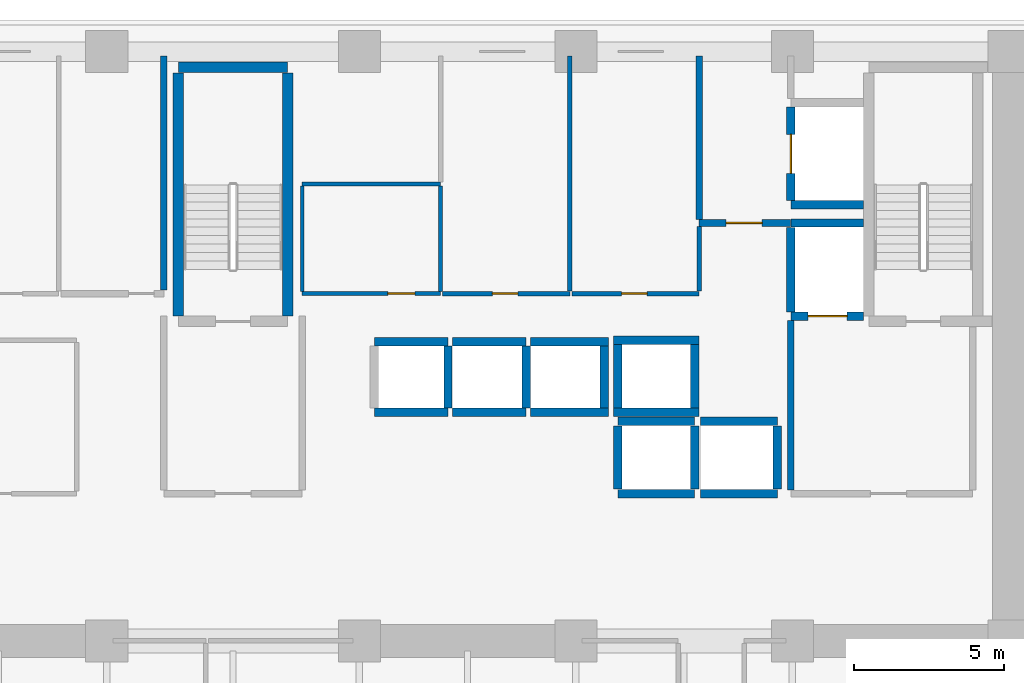
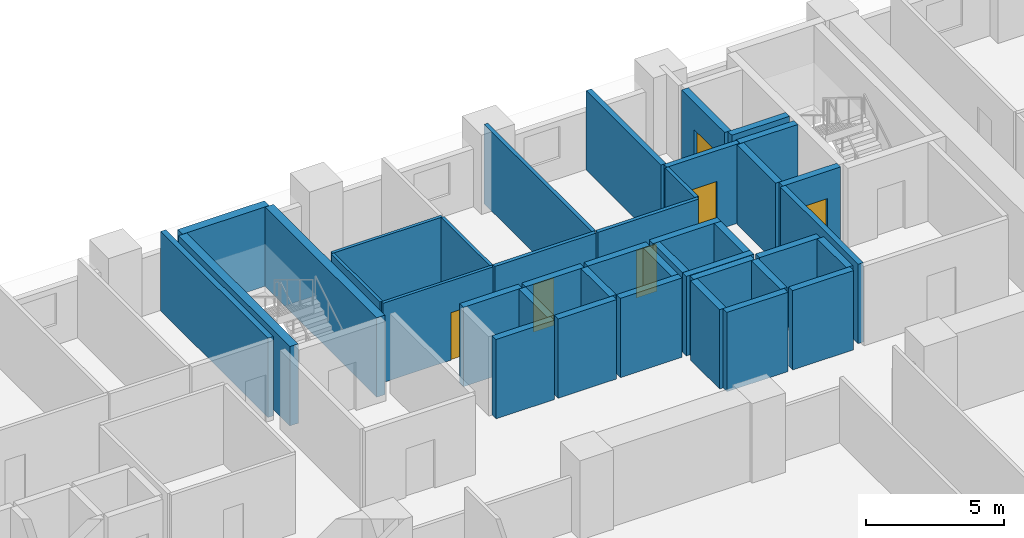
# One storey, part 8 of 15: 40 walls, 6 doors, 6 openings.
"""IFC4 building model written with IfcOpenShell, lengths in metres."""

from ifc_helpers import new_model, si_unit, direction, frame, frame_2d, origin, place, context, subcontext, project, spatial, rectangle, extrude, material, layer, layer_set, type_object, element, fill, save


model = new_model("IFC4")

# Units and contexts
model_context = context("Model", 3, precision=1e-05, world=origin(), true_north=direction((0.0, 1.0)))
body_context = subcontext(model_context, "Body", "Model", "MODEL_VIEW")
ifc_project = project(units=[si_unit("LENGTHUNIT", "METRE"), si_unit("AREAUNIT", "SQUARE_METRE"), si_unit("VOLUMEUNIT", "CUBIC_METRE"), si_unit("PLANEANGLEUNIT", "RADIAN"), si_unit("MASSUNIT", "GRAM", prefix="KILO")], contexts=[model_context])

# Site, building, storey
site_placement = place(None, origin())
site = spatial("IfcSite", under=ifc_project, at=site_placement, CompositionType="ELEMENT")
building_placement = place(site_placement, origin())
building = spatial("IfcBuilding", under=site, at=building_placement, Name="Kaelvorn Grand Hotel", CompositionType="ELEMENT")
storey_placement = place(building_placement, frame((0.0, 0.0, 38.89990234375)))
storey = spatial("IfcBuildingStorey", under=building, at=storey_placement, Name="L07", CompositionType="ELEMENT", Elevation=38.89990234375)

# Wall, opening, door
ifc_material_1 = material(Name="Moisture-Resistant Tile & Stud Board")
ifc_layer_1 = layer(ifc_material_1, 0.125)
ifc_layer_set_1 = layer_set([ifc_layer_1], Name="Moisture-Resistant Tile & Stud Board")
wall_type_1 = type_object("IfcWallType", Name="WL-PART-125-WET", PredefinedType="PARTITIONING", material=ifc_layer_set_1)
wall_1_placement = place(storey_placement, frame((44.300048828125, 40.949951171875, 0.0), z_axis=(0.0, 0.0, 1.0), x_axis=(1.0, 0.0, 0.0)))
wall_1 = element("IfcWall", 1, at=wall_1_placement, inside=storey, type_object=wall_type_1, Name="L07 Accessible WC S Partition", PredefinedType="PARTITIONING", context=body_context, shape_type="SweptSolid", body=[
    extrude(rectangle(XDim=4.599853515625, YDim=0.125, at=frame_2d((2.2998046875, 0.0))), origin(), (0.0, 0.0, 1.0), 3.510009765625),
])
opening_1_placement = place(wall_1_placement, frame((2.85009765625, 0.0, 0.0)))
opening_1 = element("IfcOpeningElement", 2, at=opening_1_placement, cuts=wall_1, Name="Opening DI4", PredefinedType="OPENING", context=body_context, shape_type="SweptSolid", body=[
    extrude(rectangle(XDim=0.89990234375, YDim=2.10009765625, at=frame_2d((0.449951171875, 1.050048828125))), frame((0.0, 0.072509765625, 0.0), z_axis=(0.0, -1.0, 0.0), x_axis=(1.0, 0.0, 0.0)), (0.0, 0.0, 1.0), 0.14501953125),
])
ifc_material_2 = material(Name="Timber Veneer Leaf", Category="wood")
door_type_1 = type_object("IfcDoorType", Name="DR-INT-BATH-900x2100", OperationType="NOTDEFINED", PredefinedType="DOOR", material=ifc_material_2)
door_1_placement = place(opening_1_placement, origin())
door_1 = element("IfcDoor", 3, at=door_1_placement, inside=storey, type_object=door_type_1, Name="L07 Accessible WC Door", OperationType="SINGLE_SWING_RIGHT", OverallHeight=2.10009765625, OverallWidth=0.89990234375, PredefinedType="DOOR", context=body_context, shape_type="SweptSolid", body=[
    extrude(rectangle(XDim=0.89990234375, YDim=2.10009765625, at=frame_2d((0.449951171875, 1.050048828125))), frame((0.0, 0.02490234375, 0.0), z_axis=(0.0, -1.0, 0.0), x_axis=(1.0, 0.0, 0.0)), (0.0, 0.0, 1.0), 0.050048828125),
])
fill(opening_1, door_1)

# Walls
wall_2_placement = place(storey_placement, frame((44.300048828125, 44.60009765625, 0.0), z_axis=(0.0, 0.0, 1.0), x_axis=(1.0, 0.0, 0.0)))
element("IfcWall", 4, at=wall_2_placement, inside=storey, type_object=wall_type_1, Name="L07 Accessible WC N Partition", PredefinedType="PARTITIONING", context=body_context, shape_type="SweptSolid", body=[
    extrude(rectangle(XDim=4.599853515625, YDim=0.125, at=frame_2d((2.2998046875, 0.0))), origin(), (0.0, 0.0, 1.0), 3.510009765625),
])
for number, where, z_axis, x_axis, name in (
    (5, (44.300048828125, 41.017578125, 0.0), (0.0, 0.0, 1.0), (0.0, 1.0, 0.0), "L07 Accessible WC W Partition"),
    (6, (48.89990234375, 41.017578125, 0.0), (0.0, 0.0, 1.0), (0.0, 1.0, 0.0), "L07 Accessible WC E Partition"),
):
    element("IfcWall", number, at=place(storey_placement, frame(where, z_axis=z_axis, x_axis=x_axis)), inside=storey, type_object=wall_type_1, Name=name, PredefinedType="PARTITIONING", context=body_context, shape_type="SweptSolid", body=[
        extrude(rectangle(XDim=3.514892578125, YDim=0.125, at=frame_2d((1.75732421875, 0.0))), origin(), (0.0, 0.0, 1.0), 3.510009765625),
    ])

# Wall, opening, door
ifc_material_3 = material(Name="Acoustic Gypsum & Stud Partition")
ifc_layer_2 = layer(ifc_material_3, 0.14990234375)
ifc_layer_set_2 = layer_set([ifc_layer_2], Name="Acoustic Gypsum & Stud Partition")
wall_type_2 = type_object("IfcWallType", Name="WL-PART-150-EI60", PredefinedType="PARTITIONING", material=ifc_layer_set_2)
wall_3_placement = place(storey_placement, frame((48.967529296875, 40.949951171875, 0.0), z_axis=(0.0, 0.0, 1.0), x_axis=(1.0, 0.0, 0.0)))
wall_3 = element("IfcWall", 7, at=wall_3_placement, inside=storey, type_object=wall_type_2, Name="L07 Minibar & Glassware Store S Partition", PredefinedType="PARTITIONING", context=body_context, shape_type="SweptSolid", body=[
    extrude(rectangle(XDim=4.232421875, YDim=0.14990234375, at=frame_2d((2.1162109375, 0.0))), origin(), (0.0, 0.0, 1.0), 3.510009765625),
])
opening_2_placement = place(wall_3_placement, frame((1.657470703125, 0.0, 0.0)))
opening_2 = element("IfcOpeningElement", 8, at=opening_2_placement, cuts=wall_3, Name="Opening DI7", PredefinedType="OPENING", context=body_context, shape_type="SweptSolid", body=[
    extrude(rectangle(XDim=0.85009765625, YDim=2.10009765625, at=frame_2d((0.425048828125, 1.050048828125))), frame((0.0, 0.0849609375, 0.0), z_axis=(0.0, -1.0, 0.0), x_axis=(1.0, 0.0, 0.0)), (0.0, 0.0, 1.0), 0.169921875),
])
ifc_material_4 = material(Name="Powder-Coated Steel Leaf", Category="steel")
door_type_2 = type_object("IfcDoorType", Name="DR-INT-RISER-850x2100", OperationType="NOTDEFINED", PredefinedType="DOOR", material=ifc_material_4)
door_2_placement = place(opening_2_placement, origin())
door_2 = element("IfcDoor", 9, at=door_2_placement, inside=storey, type_object=door_type_2, Name="L07 Minibar & Glassware Store Door", OperationType="SINGLE_SWING_LEFT", OverallHeight=2.10009765625, OverallWidth=0.85009765625, PredefinedType="DOOR", context=body_context, shape_type="SweptSolid", body=[
    extrude(rectangle(XDim=0.85009765625, YDim=2.10009765625, at=frame_2d((0.425048828125, 1.050048828125))), frame((0.0, 0.02490234375, 0.0), z_axis=(0.0, -1.0, 0.0), x_axis=(1.0, 0.0, 0.0)), (0.0, 0.0, 1.0), 0.050048828125),
])
fill(opening_2, door_2)

# Wall
wall_4_placement = place(storey_placement, frame((53.199951171875, 41.030029296875, 0.0), z_axis=(0.0, 0.0, 1.0), x_axis=(0.0, 1.0, 0.0)))
element("IfcWall", 10, at=wall_4_placement, inside=storey, type_object=wall_type_2, Name="L07 Minibar & Glassware Store E Partition", PredefinedType="PARTITIONING", context=body_context, shape_type="SweptSolid", body=[
    extrude(rectangle(XDim=7.820068359375, YDim=0.14990234375, at=frame_2d((3.91015625, 0.0))), origin(), (0.0, 0.0, 1.0), 3.510009765625),
])

# Wall, opening, door
wall_5_placement = place(storey_placement, frame((53.280029296875, 40.949951171875, 0.0), z_axis=(0.0, 0.0, 1.0), x_axis=(1.0, 0.0, 0.0)))
wall_5 = element("IfcWall", 11, at=wall_5_placement, inside=storey, type_object=wall_type_2, Name="L07 Floor IT & Comms Room S Partition", PredefinedType="PARTITIONING", context=body_context, shape_type="SweptSolid", body=[
    extrude(rectangle(XDim=4.219970703125, YDim=0.14990234375, at=frame_2d((2.10986328125, 0.0))), origin(), (0.0, 0.0, 1.0), 3.510009765625),
])
opening_3_placement = place(wall_5_placement, frame((1.64501953125, 0.0, 0.0)))
opening_3 = element("IfcOpeningElement", 12, at=opening_3_placement, cuts=wall_5, Name="Opening DI7", PredefinedType="OPENING", context=body_context, shape_type="SweptSolid", body=[
    extrude(rectangle(XDim=0.85009765625, YDim=2.10009765625, at=frame_2d((0.425048828125, 1.050048828125))), frame((0.0, 0.0849609375, 0.0), z_axis=(0.0, -1.0, 0.0), x_axis=(1.0, 0.0, 0.0)), (0.0, 0.0, 1.0), 0.169921875),
])
door_3_placement = place(opening_3_placement, origin())
door_3 = element("IfcDoor", 13, at=door_3_placement, inside=storey, type_object=door_type_2, Name="L07 Floor IT & Comms Room Door", OperationType="SINGLE_SWING_RIGHT", OverallHeight=2.10009765625, OverallWidth=0.85009765625, PredefinedType="DOOR", context=body_context, shape_type="SweptSolid", body=[
    extrude(rectangle(XDim=0.85009765625, YDim=2.10009765625, at=frame_2d((0.425048828125, 1.050048828125))), frame((0.0, 0.02490234375, 0.0), z_axis=(0.0, -1.0, 0.0), x_axis=(1.0, 0.0, 0.0)), (0.0, 0.0, 1.0), 0.050048828125),
])
fill(opening_3, door_3)

# Walls
wall_6_placement = place(storey_placement, frame((57.5, 41.030029296875, 0.0), z_axis=(0.0, 0.0, 1.0), x_axis=(0.0, 1.0, 0.0)))
element("IfcWall", 14, at=wall_6_placement, inside=storey, type_object=wall_type_2, Name="L07 Floor IT & Comms Room E Partition", PredefinedType="PARTITIONING", context=body_context, shape_type="SweptSolid", body=[
    extrude(rectangle(XDim=2.155029296875, YDim=0.14990234375, at=frame_2d((1.07763671875, 0.0))), origin(), (0.0, 0.0, 1.0), 3.510009765625),
])
ifc_material_5 = material(Name="Concrete C40/50", Category="concrete")
ifc_layer_3 = layer(ifc_material_5, 0.219970703125)
ifc_layer_set_3 = layer_set([ifc_layer_3], Name="Concrete C40/50")
wall_type_3 = type_object("IfcWallType", Name="WL-PART-220-EI120", PredefinedType="PARTITIONING", material=ifc_layer_set_3)
wall_7_placement = place(storey_placement, frame((60.550048828125, 34.4150390625, 0.0), z_axis=(0.0, 0.0, 1.0), x_axis=(0.0, 1.0, 0.0)))
element("IfcWall", 15, at=wall_7_placement, inside=storey, type_object=wall_type_3, Name="L07 Firefighting Lift Lobby 2 W Partition", PredefinedType="PARTITIONING", context=body_context, shape_type="SweptSolid", body=[
    extrude(rectangle(XDim=5.639892578125, YDim=0.219970703125, at=frame_2d((2.81982421875, 0.0))), origin(), (0.0, 0.0, 1.0), 3.510009765625),
])

# Wall, opening, door
wall_8_placement = place(storey_placement, frame((57.5, 43.300048828125, 0.0), z_axis=(0.0, 0.0, 1.0), x_axis=(1.0, 0.0, 0.0)))
wall_8 = element("IfcWall", 16, at=wall_8_placement, inside=storey, type_object=wall_type_3, Name="L07 Service Lift Lobby S Partition", PredefinedType="PARTITIONING", context=body_context, shape_type="SweptSolid", body=[
    extrude(rectangle(XDim=3.0400390625, YDim=0.219970703125, at=frame_2d((1.52001953125, 0.0))), origin(), (0.0, 0.0, 1.0), 3.510009765625),
])
opening_4_placement = place(wall_8_placement, frame((0.89990234375, 0.0, 0.0)))
opening_4 = element("IfcOpeningElement", 17, at=opening_4_placement, cuts=wall_8, Name="Opening DI2", PredefinedType="OPENING", context=body_context, shape_type="SweptSolid", body=[
    extrude(rectangle(XDim=1.199951171875, YDim=2.14990234375, at=frame_2d((0.60009765625, 1.074951171875))), frame((0.0, 0.1201171875, 0.0), z_axis=(0.0, -1.0, 0.0), x_axis=(1.0, 0.0, 0.0)), (0.0, 0.0, 1.0), 0.239990234375),
])
ifc_material_6 = material(Name="Timber Veneer Fire Leaf", Category="wood")
door_type_3 = type_object("IfcDoorType", Name="DR-INT-FFLOB-1200x2150", OperationType="NOTDEFINED", PredefinedType="DOOR", material=ifc_material_6)
door_4_placement = place(opening_4_placement, origin())
door_4 = element("IfcDoor", 18, at=door_4_placement, inside=storey, type_object=door_type_3, Name="L07 Service Lift Lobby Door", OperationType="SINGLE_SWING_LEFT", OverallHeight=2.14990234375, OverallWidth=1.199951171875, PredefinedType="DOOR", context=body_context, shape_type="SweptSolid", body=[
    extrude(rectangle(XDim=1.199951171875, YDim=2.14990234375, at=frame_2d((0.60009765625, 1.074951171875))), frame((0.0, 0.02490234375, 0.0), z_axis=(0.0, -1.0, 0.0), x_axis=(1.0, 0.0, 0.0)), (0.0, 0.0, 1.0), 0.050048828125),
])
fill(opening_4, door_4)

# Walls
wall_9_placement = place(storey_placement, frame((57.5, 43.4150390625, 0.0), z_axis=(0.0, 0.0, 1.0), x_axis=(0.0, 1.0, 0.0)))
element("IfcWall", 19, at=wall_9_placement, inside=storey, type_object=wall_type_3, Name="L07 Service Lift Lobby W Partition", PredefinedType="PARTITIONING", context=body_context, shape_type="SweptSolid", body=[
    extrude(rectangle(XDim=5.43505859375, YDim=0.219970703125, at=frame_2d((2.717529296875, 0.0))), origin(), (0.0, 0.0, 1.0), 3.510009765625),
])
wall_10_placement = place(storey_placement, frame((39.699951171875, 41.06494140625, 0.0), z_axis=(0.0, 0.0, 1.0), x_axis=(0.0, 1.0, 0.0)))
element("IfcWall", 20, at=wall_10_placement, inside=storey, type_object=wall_type_3, Name="L07 LV Electrical & Metering Room E Partition", PredefinedType="PARTITIONING", context=body_context, shape_type="SweptSolid", body=[
    extrude(rectangle(XDim=7.78515625, YDim=0.219970703125, at=frame_2d((3.892578125, 0.0))), origin(), (0.0, 0.0, 1.0), 3.510009765625),
])
ifc_material_7 = material(Name="Concrete C50/60", Category="concrete")
ifc_layer_4 = layer(ifc_material_7, 0.280029296875)
ifc_layer_set_4 = layer_set([ifc_layer_4], Name="Concrete C50/60")
wall_type_4 = type_object("IfcWallType", Name="WL-SHAFT-280-C50", PredefinedType="SHEAR", material=ifc_layer_set_4)
for number, where, z_axis, x_axis, name in (
    (21, (46.699951171875, 37.0, 0.0), (0.0, 0.0, 1.0), (1.0, 0.0, 0.0), "L07 Lift SL-1 Shaft South Wall"),
    (22, (46.699951171875, 39.35009765625, 0.0), (0.0, 0.0, 1.0), (1.0, 0.0, 0.0), "L07 Lift SL-1 Shaft North Wall"),
):
    element("IfcWall", number, at=place(storey_placement, frame(where, z_axis=z_axis, x_axis=x_axis)), inside=storey, type_object=wall_type_4, Name=name, PredefinedType="SHEAR", context=body_context, shape_type="SweptSolid", body=[
        extrude(rectangle(XDim=2.449951171875, YDim=0.280029296875, at=frame_2d((1.22509765625, 0.0))), origin(), (0.0, 0.0, 1.0), 3.510009765625),
    ])
wall_11_placement = place(storey_placement, frame((49.14990234375, 37.14501953125, 0.0), z_axis=(0.0, 0.0, 1.0), x_axis=(0.0, 1.0, 0.0)))
element("IfcWall", 23, at=wall_11_placement, inside=storey, type_object=wall_type_4, Name="L07 Lift SL-1 Shaft East Wall", PredefinedType="SHEAR", context=body_context, shape_type="SweptSolid", body=[
    extrude(rectangle(XDim=2.06005859375, YDim=0.280029296875, at=frame_2d((1.030029296875, 0.0))), origin(), (0.0, 0.0, 1.0), 3.510009765625),
])
for number, where, z_axis, x_axis, name in (
    (24, (49.300048828125, 37.0, 0.0), (0.0, 0.0, 1.0), (1.0, 0.0, 0.0), "L07 Lift SL-2 Shaft South Wall"),
    (25, (49.300048828125, 39.35009765625, 0.0), (0.0, 0.0, 1.0), (1.0, 0.0, 0.0), "L07 Lift SL-2 Shaft North Wall"),
):
    element("IfcWall", number, at=place(storey_placement, frame(where, z_axis=z_axis, x_axis=x_axis)), inside=storey, type_object=wall_type_4, Name=name, PredefinedType="SHEAR", context=body_context, shape_type="SweptSolid", body=[
        extrude(rectangle(XDim=2.449951171875, YDim=0.280029296875, at=frame_2d((1.22509765625, 0.0))), origin(), (0.0, 0.0, 1.0), 3.510009765625),
    ])
wall_12_placement = place(storey_placement, frame((51.75, 37.14501953125, 0.0), z_axis=(0.0, 0.0, 1.0), x_axis=(0.0, 1.0, 0.0)))
element("IfcWall", 26, at=wall_12_placement, inside=storey, type_object=wall_type_4, Name="L07 Lift SL-2 Shaft East Wall", PredefinedType="SHEAR", context=body_context, shape_type="SweptSolid", body=[
    extrude(rectangle(XDim=2.06005859375, YDim=0.280029296875, at=frame_2d((1.030029296875, 0.0))), origin(), (0.0, 0.0, 1.0), 3.510009765625),
])
for number, where, z_axis, x_axis, name in (
    (27, (51.89990234375, 37.0, 0.0), (0.0, 0.0, 1.0), (1.0, 0.0, 0.0), "L07 Lift SL-3 Shaft South Wall"),
    (28, (51.89990234375, 39.35009765625, 0.0), (0.0, 0.0, 1.0), (1.0, 0.0, 0.0), "L07 Lift SL-3 Shaft North Wall"),
):
    element("IfcWall", number, at=place(storey_placement, frame(where, z_axis=z_axis, x_axis=x_axis)), inside=storey, type_object=wall_type_4, Name=name, PredefinedType="SHEAR", context=body_context, shape_type="SweptSolid", body=[
        extrude(rectangle(XDim=2.590087890625, YDim=0.280029296875, at=frame_2d((1.294921875, 0.0))), origin(), (0.0, 0.0, 1.0), 3.510009765625),
    ])
wall_13_placement = place(storey_placement, frame((54.35009765625, 37.14501953125, 0.0), z_axis=(0.0, 0.0, 1.0), x_axis=(0.0, 1.0, 0.0)))
element("IfcWall", 29, at=wall_13_placement, inside=storey, type_object=wall_type_4, Name="L07 Lift SL-3 Shaft East Wall", PredefinedType="SHEAR", context=body_context, shape_type="SweptSolid", body=[
    extrude(rectangle(XDim=2.06005859375, YDim=0.280029296875, at=frame_2d((1.030029296875, 0.0))), origin(), (0.0, 0.0, 1.0), 3.510009765625),
])
for number, where, z_axis, x_axis, name in (
    (30, (54.800048828125, 34.300048828125, 0.0), (0.0, 0.0, 1.0), (1.0, 0.0, 0.0), "L07 Lift OL-1 Shaft South Wall"),
    (31, (54.800048828125, 36.699951171875, 0.0), (0.0, 0.0, 1.0), (1.0, 0.0, 0.0), "L07 Lift OL-1 Shaft North Wall"),
):
    element("IfcWall", number, at=place(storey_placement, frame(where, z_axis=z_axis, x_axis=x_axis)), inside=storey, type_object=wall_type_4, Name=name, PredefinedType="SHEAR", context=body_context, shape_type="SweptSolid", body=[
        extrude(rectangle(XDim=2.550048828125, YDim=0.280029296875, at=frame_2d((1.27490234375, 0.0))), origin(), (0.0, 0.0, 1.0), 3.510009765625),
    ])
for number, where, z_axis, x_axis, name in (
    (32, (54.800048828125, 34.445068359375, 0.0), (0.0, 0.0, 1.0), (0.0, 1.0, 0.0), "L07 Lift OL-1 Shaft West Wall"),
    (33, (57.35009765625, 34.445068359375, 0.0), (0.0, 0.0, 1.0), (0.0, 1.0, 0.0), "L07 Lift OL-1 Shaft East Wall"),
):
    element("IfcWall", number, at=place(storey_placement, frame(where, z_axis=z_axis, x_axis=x_axis)), inside=storey, type_object=wall_type_4, Name=name, PredefinedType="SHEAR", context=body_context, shape_type="SweptSolid", body=[
        extrude(rectangle(XDim=2.10986328125, YDim=0.280029296875, at=frame_2d((1.054931640625, 0.0))), origin(), (0.0, 0.0, 1.0), 3.510009765625),
    ])
for number, where, z_axis, x_axis, name in (
    (34, (57.550048828125, 34.300048828125, 0.0), (0.0, 0.0, 1.0), (1.0, 0.0, 0.0), "L07 Lift OL-2 Shaft South Wall"),
    (35, (57.550048828125, 36.699951171875, 0.0), (0.0, 0.0, 1.0), (1.0, 0.0, 0.0), "L07 Lift OL-2 Shaft North Wall"),
):
    element("IfcWall", number, at=place(storey_placement, frame(where, z_axis=z_axis, x_axis=x_axis)), inside=storey, type_object=wall_type_4, Name=name, PredefinedType="SHEAR", context=body_context, shape_type="SweptSolid", body=[
        extrude(rectangle(XDim=2.550048828125, YDim=0.280029296875, at=frame_2d((1.27490234375, 0.0))), origin(), (0.0, 0.0, 1.0), 3.510009765625),
    ])
wall_14_placement = place(storey_placement, frame((60.10009765625, 34.445068359375, 0.0), z_axis=(0.0, 0.0, 1.0), x_axis=(0.0, 1.0, 0.0)))
element("IfcWall", 36, at=wall_14_placement, inside=storey, type_object=wall_type_4, Name="L07 Lift OL-2 Shaft East Wall", PredefinedType="SHEAR", context=body_context, shape_type="SweptSolid", body=[
    extrude(rectangle(XDim=2.10986328125, YDim=0.280029296875, at=frame_2d((1.054931640625, 0.0))), origin(), (0.0, 0.0, 1.0), 3.510009765625),
])
for number, where, z_axis, x_axis, name in (
    (37, (54.659912109375, 37.0, 0.0), (0.0, 0.0, 1.0), (1.0, 0.0, 0.0), "L07 Lift OL-3 Shaft South Wall"),
    (38, (54.659912109375, 39.39990234375, 0.0), (0.0, 0.0, 1.0), (1.0, 0.0, 0.0), "L07 Lift OL-3 Shaft North Wall"),
):
    element("IfcWall", number, at=place(storey_placement, frame(where, z_axis=z_axis, x_axis=x_axis)), inside=storey, type_object=wall_type_4, Name=name, PredefinedType="SHEAR", context=body_context, shape_type="SweptSolid", body=[
        extrude(rectangle(XDim=2.830078125, YDim=0.280029296875, at=frame_2d((1.4150390625, 0.0))), origin(), (0.0, 0.0, 1.0), 3.510009765625),
    ])
for number, where, z_axis, x_axis, name in (
    (39, (54.800048828125, 37.14501953125, 0.0), (0.0, 0.0, 1.0), (0.0, 1.0, 0.0), "L07 Lift OL-3 Shaft West Wall"),
    (40, (57.35009765625, 37.14501953125, 0.0), (0.0, 0.0, 1.0), (0.0, 1.0, 0.0), "L07 Lift OL-3 Shaft East Wall"),
):
    element("IfcWall", number, at=place(storey_placement, frame(where, z_axis=z_axis, x_axis=x_axis)), inside=storey, type_object=wall_type_4, Name=name, PredefinedType="SHEAR", context=body_context, shape_type="SweptSolid", body=[
        extrude(rectangle(XDim=2.10986328125, YDim=0.280029296875, at=frame_2d((1.054931640625, 0.0))), origin(), (0.0, 0.0, 1.0), 3.510009765625),
    ])

# Wall, opening, door
wall_15_placement = place(storey_placement, frame((60.550048828125, 40.199951171875, 0.0), z_axis=(0.0, 0.0, 1.0), x_axis=(1.0, 0.0, 0.0)))
wall_15 = element("IfcWall", 41, at=wall_15_placement, inside=storey, type_object=wall_type_4, Name="L07 Lift FFL2 Shaft South Wall", PredefinedType="SHEAR", context=body_context, shape_type="SweptSolid", body=[
    extrude(rectangle(XDim=2.4150390625, YDim=0.280029296875, at=frame_2d((1.20751953125, 0.0))), origin(), (0.0, 0.0, 1.0), 3.510009765625),
])
opening_5_placement = place(wall_15_placement, frame((0.574951171875, 0.0, 0.0)))
opening_5 = element("IfcOpeningElement", 42, at=opening_5_placement, cuts=wall_15, Name="Opening LD-FFL2", PredefinedType="OPENING", context=body_context, shape_type="SweptSolid", body=[
    extrude(rectangle(XDim=1.300048828125, YDim=2.300048828125, at=frame_2d((0.64990234375, 1.14990234375))), frame((0.0, 0.14990234375, 0.0), z_axis=(0.0, -1.0, 0.0), x_axis=(1.0, 0.0, 0.0)), (0.0, 0.0, 1.0), 0.300048828125),
])
ifc_material_8 = material(Name="Stainless Steel", Category="steel")
door_type_4 = type_object("IfcDoorType", Name="DR-LIFT-SERV-1300x2300", OperationType="DOUBLE_DOOR_SLIDING", PredefinedType="DOOR", material=ifc_material_8)
door_5_placement = place(opening_5_placement, origin())
door_5 = element("IfcDoor", 43, at=door_5_placement, inside=storey, type_object=door_type_4, Name="L07 Lift FFL2 Sliding Landing Door LD-FFL2", OperationType="DOUBLE_DOOR_SLIDING", OverallHeight=2.300048828125, OverallWidth=1.300048828125, PredefinedType="DOOR", context=body_context, shape_type="SweptSolid", body=[
    extrude(rectangle(XDim=1.300048828125, YDim=2.300048828125, at=frame_2d((0.64990234375, 1.14990234375))), frame((0.0, 0.02490234375, 0.0), z_axis=(0.0, -1.0, 0.0), x_axis=(1.0, 0.0, 0.0)), (0.0, 0.0, 1.0), 0.050048828125),
])
fill(opening_5, door_5)

# Walls
wall_16_placement = place(storey_placement, frame((60.550048828125, 43.300048828125, 0.0), z_axis=(0.0, 0.0, 1.0), x_axis=(1.0, 0.0, 0.0)))
element("IfcWall", 44, at=wall_16_placement, inside=storey, type_object=wall_type_4, Name="L07 Lift FFL2 Shaft North Wall", PredefinedType="SHEAR", context=body_context, shape_type="SweptSolid", body=[
    extrude(rectangle(XDim=2.4150390625, YDim=0.280029296875, at=frame_2d((1.20751953125, 0.0))), origin(), (0.0, 0.0, 1.0), 3.510009765625),
])
wall_17_placement = place(storey_placement, frame((60.550048828125, 40.344970703125, 0.0), z_axis=(0.0, 0.0, 1.0), x_axis=(0.0, 1.0, 0.0)))
element("IfcWall", 45, at=wall_17_placement, inside=storey, type_object=wall_type_4, Name="L07 Lift FFL2 Shaft West Wall", PredefinedType="SHEAR", context=body_context, shape_type="SweptSolid", body=[
    extrude(rectangle(XDim=2.81005859375, YDim=0.280029296875, at=frame_2d((1.405029296875, 0.0))), origin(), (0.0, 0.0, 1.0), 3.510009765625),
])
wall_18_placement = place(storey_placement, frame((60.550048828125, 43.89990234375, 0.0), z_axis=(0.0, 0.0, 1.0), x_axis=(1.0, 0.0, 0.0)))
element("IfcWall", 46, at=wall_18_placement, inside=storey, type_object=wall_type_4, Name="L07 Lift SV1 Shaft South Wall", PredefinedType="SHEAR", context=body_context, shape_type="SweptSolid", body=[
    extrude(rectangle(XDim=2.4150390625, YDim=0.280029296875, at=frame_2d((1.20751953125, 0.0))), origin(), (0.0, 0.0, 1.0), 3.510009765625),
])

# Wall, opening, door
wall_19_placement = place(storey_placement, frame((60.550048828125, 44.044921875, 0.0), z_axis=(0.0, 0.0, 1.0), x_axis=(0.0, 1.0, 0.0)))
wall_19 = element("IfcWall", 47, at=wall_19_placement, inside=storey, type_object=wall_type_4, Name="L07 Lift SV1 Shaft West Wall", PredefinedType="SHEAR", context=body_context, shape_type="SweptSolid", body=[
    extrude(rectangle(XDim=3.110107421875, YDim=0.280029296875, at=frame_2d((1.55517578125, 0.0))), origin(), (0.0, 0.0, 1.0), 3.510009765625),
])
opening_6_placement = place(wall_19_placement, frame((0.905029296875, 0.0, 0.0)))
opening_6 = element("IfcOpeningElement", 48, at=opening_6_placement, cuts=wall_19, Name="Opening LD-SV1", PredefinedType="OPENING", context=body_context, shape_type="SweptSolid", body=[
    extrude(rectangle(XDim=1.300048828125, YDim=2.300048828125, at=frame_2d((0.64990234375, 1.14990234375))), frame((0.0, 0.14990234375, 0.0), z_axis=(0.0, -1.0, 0.0), x_axis=(1.0, 0.0, 0.0)), (0.0, 0.0, 1.0), 0.300048828125),
])
door_6_placement = place(opening_6_placement, origin())
door_6 = element("IfcDoor", 49, at=door_6_placement, inside=storey, type_object=door_type_4, Name="L07 Lift SV1 Sliding Landing Door LD-SV1", OperationType="DOUBLE_DOOR_SLIDING", OverallHeight=2.300048828125, OverallWidth=1.300048828125, PredefinedType="DOOR", context=body_context, shape_type="SweptSolid", body=[
    extrude(rectangle(XDim=1.300048828125, YDim=2.300048828125, at=frame_2d((0.64990234375, 1.14990234375))), frame((0.0, 0.02490234375, 0.0), z_axis=(0.0, -1.0, 0.0), x_axis=(1.0, 0.0, 0.0)), (0.0, 0.0, 1.0), 0.050048828125),
])
fill(opening_6, door_6)

# Walls
ifc_material_9 = material(Name="Concrete C60/75", Category="concrete")
ifc_layer_5 = layer(ifc_material_9, 0.35009765625)
ifc_layer_set_5 = layer_set([ifc_layer_5], Name="Concrete C60/75")
wall_type_5 = type_object("IfcWallType", Name="WL-SHAFT-350-C60", PredefinedType="SHEAR", material=ifc_layer_set_5)
wall_20_placement = place(storey_placement, frame((40.18505859375, 48.47509765625, 0.0), z_axis=(0.0, 0.0, 1.0), x_axis=(1.0, 0.0, 0.0)))
element("IfcWall", 50, at=wall_20_placement, inside=storey, type_object=wall_type_5, Name="L07 ST2 Stair Shaft North Wall", PredefinedType="SHEAR", context=body_context, shape_type="SweptSolid", body=[
    extrude(rectangle(XDim=3.6298828125, YDim=0.35009765625, at=frame_2d((1.81494140625, 0.0))), origin(), (0.0, 0.0, 1.0), 3.510009765625),
])
for number, where, z_axis, x_axis, name in (
    (51, (40.18505859375, 40.205078125, 0.0), (0.0, 0.0, 1.0), (0.0, 1.0, 0.0), "L07 ST2 Stair Shaft West Wall"),
    (52, (43.81494140625, 40.205078125, 0.0), (0.0, 0.0, 1.0), (0.0, 1.0, 0.0), "L07 ST2 Stair Shaft East Wall"),
):
    element("IfcWall", number, at=place(storey_placement, frame(where, z_axis=z_axis, x_axis=x_axis)), inside=storey, type_object=wall_type_5, Name=name, PredefinedType="SHEAR", context=body_context, shape_type="SweptSolid", body=[
        extrude(rectangle(XDim=8.08984375, YDim=0.35009765625, at=frame_2d((4.044921875, 0.0))), origin(), (0.0, 0.0, 1.0), 3.510009765625),
    ])

save(model, "model.ifc")
